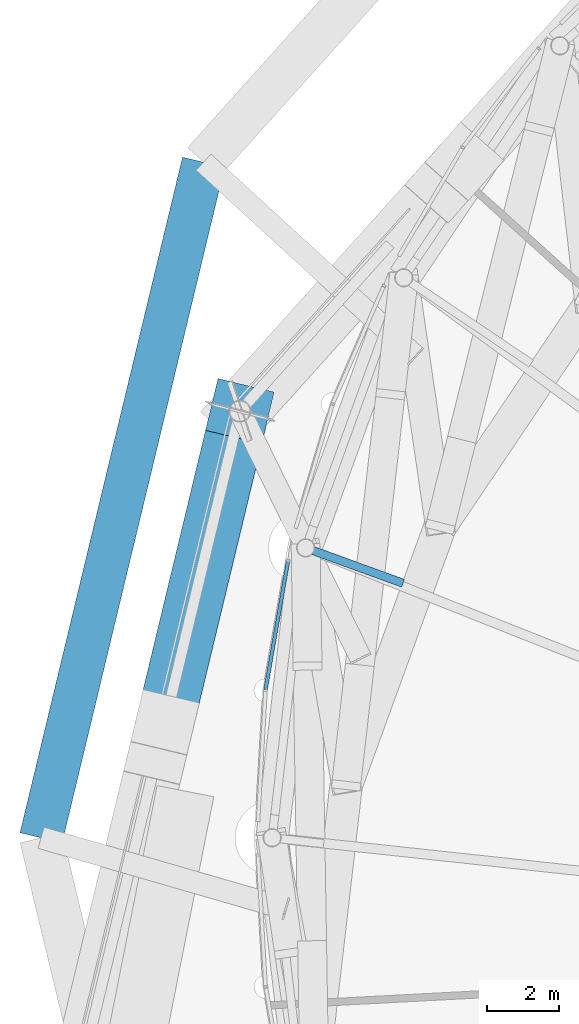
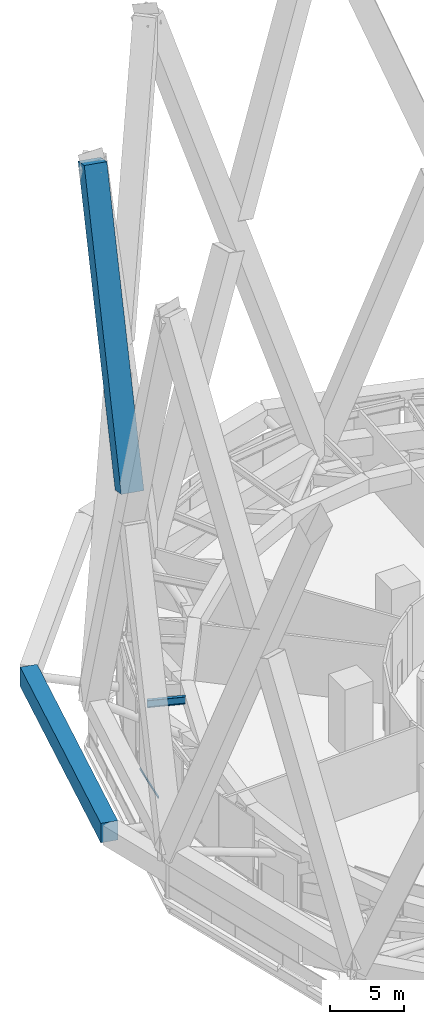
# One storey, part 21 of 65: 3 members, 1 beam, 1 element without a shape of its own.
"""IFC4 building model written with IfcOpenShell, lengths in metres."""

from ifc_helpers import new_model, si_unit, direction, frame, origin, origin_2d, place, context, subcontext, project, spatial, rectangle, i_section, extrude, material, layer, layer_set, material_profile, profile_set, type_object, element, aggregate, save


model = new_model("IFC4")

# Units and contexts
model_context = context("Model", 3, precision=1e-05, world=origin(), true_north=direction((0.0, 1.0)))
body_context = subcontext(model_context, "Body", "Model", "MODEL_VIEW")
ifc_project = project(units=[si_unit("LENGTHUNIT", "METRE"), si_unit("AREAUNIT", "SQUARE_METRE"), si_unit("VOLUMEUNIT", "CUBIC_METRE"), si_unit("PLANEANGLEUNIT", "RADIAN"), si_unit("MASSUNIT", "GRAM", prefix="KILO")], contexts=[model_context])

# Site, building, storey
site_placement = place(None, origin())
site = spatial("IfcSite", under=ifc_project, at=site_placement, CompositionType="ELEMENT")
building_placement = place(site_placement, origin())
building = spatial("IfcBuilding", under=site, at=building_placement, Name="Nagisa Residences", CompositionType="ELEMENT")
storey_placement = place(building_placement, frame((0.0, 0.0, 114.0)))
storey = spatial("IfcBuildingStorey", under=building, at=storey_placement, Name="L28", CompositionType="ELEMENT", Elevation=114.0)

# Curtain wall, member
ifc_material_1 = material(Name="Aluminium curtain wall system", Category="aluminium")
ifc_layer = layer(ifc_material_1, 0.159912109375)
ifc_layer_set = layer_set([ifc_layer], Name="CW5 CURTAIN WALL")
curtain_wall_type = type_object("IfcCurtainWallType", Name="CW5 CURTAIN WALL", PredefinedType="NOTDEFINED", material=ifc_layer_set)
curtain_wall_placement = place(storey_placement, origin())
curtain_wall = element("IfcCurtainWall", 1, at=curtain_wall_placement, inside=storey, type_object=curtain_wall_type, Name="cw:CW5:L28:22", PredefinedType="NOTDEFINED")
ifc_material_2 = material(Name="Aluminium", Category="aluminium")
ifc_material_profile_1 = material_profile(ifc_material_2, rectangle(XDim=0.10009765625, YDim=0.1201171875, at=origin_2d()), Name="CW5 TRANSOM 100x120")
ifc_profile_set_1 = profile_set([ifc_material_profile_1], Name="Aluminium")
member_type_1 = type_object("IfcMemberType", Name="CW5 TRANSOM 100x120", PredefinedType="USERDEFINED", material=ifc_profile_set_1)
member_1_placement = place(storey_placement, frame((-28.550048828125, 10.8173828125, 0.06005859375), z_axis=(-0.172161553928, -0.985068728236, 0.0), x_axis=(0.985068728236, -0.172161553928, 0.0)))
member_1 = element("IfcMember", 2, at=member_1_placement, type_object=member_type_1, Name="CW5 transom", ObjectType="TRANSOM", PredefinedType="USERDEFINED", context=body_context, shape_type="SweptSolid", body=[
    extrude(rectangle(XDim=0.10009765625, YDim=0.1201171875, at=origin_2d()), origin(), (0.0, 0.0, 1.0), 3.654296875),
])
aggregate(curtain_wall, [member_1])

# Members
ifc_material_3 = material(Name="Concrete C80", Category="concrete")
ifc_material_profile_2 = material_profile(ifc_material_3, rectangle(XDim=1.60009765625, YDim=1.60009765625, at=origin_2d()), Name="C80 1600x1600")
ifc_profile_set_2 = profile_set([ifc_material_profile_2], Name="Concrete C80")
member_type_2 = type_object("IfcMemberType", Name="Cage diagonal 3 C80 1600x1600", PredefinedType="BRACE", material=ifc_profile_set_2)
member_2_placement = place(storey_placement, frame((-31.962646484375, 6.31982421875, 26.970458984375), z_axis=(0.090120264696, 0.374299994674, 0.922918117645), x_axis=(-0.972217131243, 0.234080861492, 0.0)))
element("IfcMember", 3, at=member_2_placement, inside=storey, type_object=member_type_2, Name="mem:L28:cg3d012b", PredefinedType="BRACE", context=body_context, shape_type="SweptSolid", body=[
    extrude(rectangle(XDim=1.60009765625, YDim=1.60009765625, at=origin_2d()), origin(), (0.0, 0.0, 1.0), 23.002685546875),
])
ifc_material_4 = material(Name="Concrete C80", Category="concrete")
ifc_material_profile_3 = material_profile(ifc_material_4, rectangle(XDim=1.199951171875, YDim=1.60009765625, at=origin_2d()), Name="C80 1200x1600")
ifc_profile_set_3 = profile_set([ifc_material_profile_3], Name="Concrete C80")
member_type_3 = type_object("IfcMemberType", Name="Cage ring 2 C80 1200x1600", PredefinedType="CHORD", material=ifc_profile_set_3)
member_3_placement = place(storey_placement, frame((-30.89404296875, 21.8251953125, 1.89990234375), z_axis=(-0.233921910771, -0.972255388085, 0.0), x_axis=(0.972255388085, -0.233921910771, 0.0)))
element("IfcMember", 4, at=member_3_placement, inside=storey, type_object=member_type_3, Name="beam:L28:cg2r106", PredefinedType="CHORD", context=body_context, shape_type="SweptSolid", body=[
    extrude(rectangle(XDim=1.199951171875, YDim=1.60009765625, at=origin_2d()), origin(), (0.0, 0.0, 1.0), 19.241455078125),
])

# Beam
ifc_material_5 = material(Name="Steel ASTM A572 Gr 50", Category="steel")
ifc_material_profile_4 = material_profile(ifc_material_5, i_section(OverallWidth=0.22802734375, OverallDepth=0.60302734375, WebThickness=0.010498046875, FlangeThickness=0.014892578125, at=origin_2d()), Name="W610x101")
ifc_profile_set_4 = profile_set([ifc_material_profile_4], Name="Steel ASTM A572 Gr 50")
beam_type = type_object("IfcBeamType", Name="Garden radial beam W610x101", PredefinedType="BEAM", material=ifc_profile_set_4)
beam_placement = place(storey_placement, frame((-27.848388671875, 11.065185546875, 5.03857421875), z_axis=(0.939942160655, -0.3413337584, 0.0), x_axis=(0.3413337584, 0.939942160655, 0.0)))
element("IfcBeam", 5, at=beam_placement, inside=storey, type_object=beam_type, Name="beam:L28:bt2gr12", PredefinedType="BEAM", context=body_context, shape_type="SweptSolid", body=[
    extrude(i_section(OverallWidth=0.22802734375, OverallDepth=0.60302734375, WebThickness=0.010498046875, FlangeThickness=0.014892578125, at=origin_2d()), origin(), (0.0, 0.0, 1.0), 2.63427734375),
])

save(model, "model.ifc")
